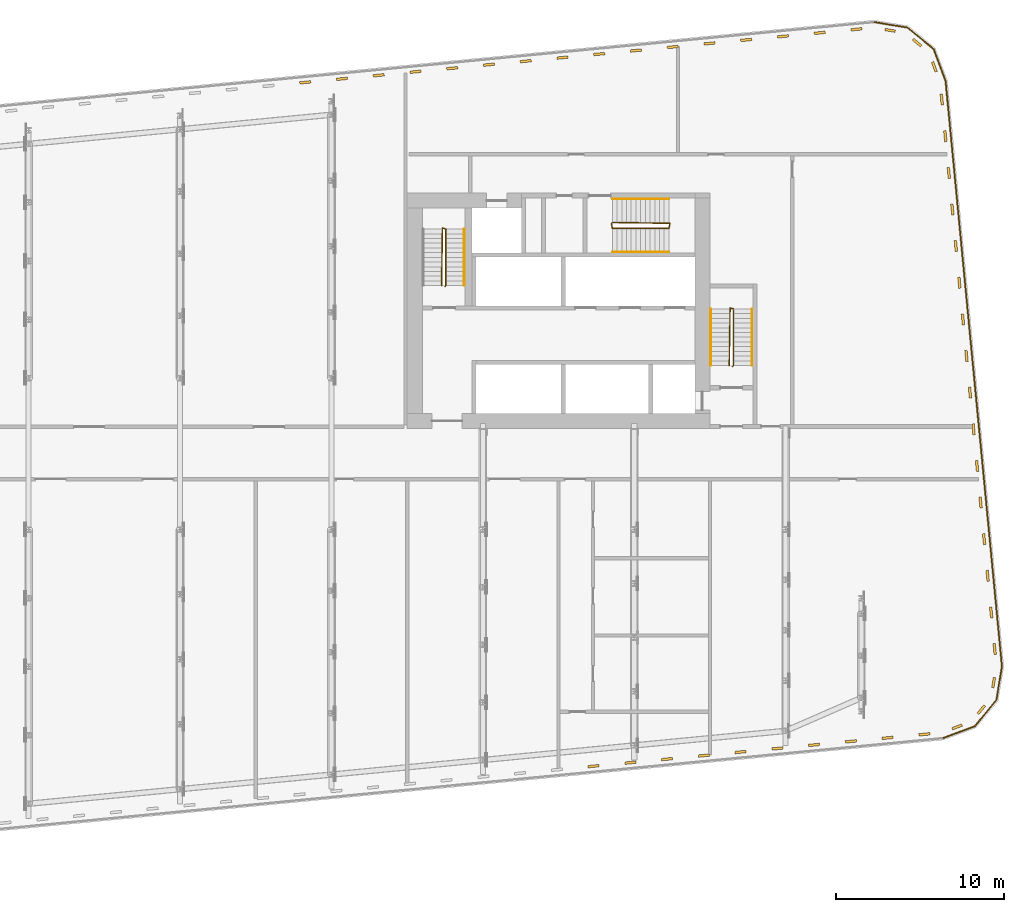
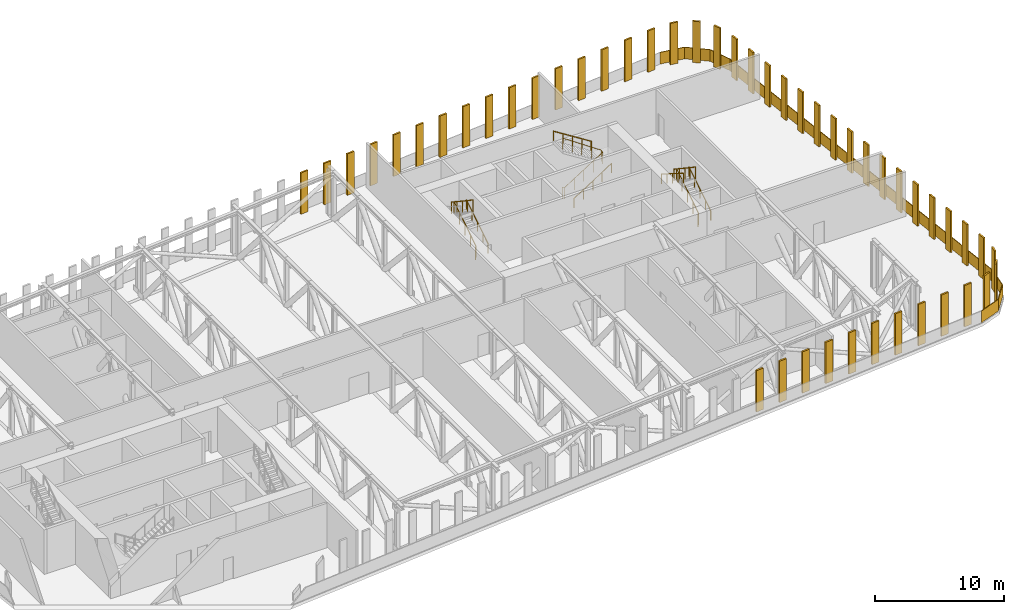
# One storey, part 22 of 22: 48 shading devices, 15 railings.
"""IFC4 building model written with IfcOpenShell, lengths in metres."""

from ifc_helpers import new_model, si_unit, direction, frame, origin, origin_2d, place, context, subcontext, project, spatial, polyline, rectangle, circle, outline, extrude, material, type_object, element, save


model = new_model("IFC4")

# Units and contexts
model_context = context("Model", 3, precision=1e-05, world=origin(), true_north=direction((0.0, 1.0)))
body_context = subcontext(model_context, "Body", "Model", "MODEL_VIEW")
ifc_project = project(units=[si_unit("LENGTHUNIT", "METRE"), si_unit("AREAUNIT", "SQUARE_METRE"), si_unit("VOLUMEUNIT", "CUBIC_METRE"), si_unit("PLANEANGLEUNIT", "RADIAN"), si_unit("MASSUNIT", "GRAM", prefix="KILO")], contexts=[model_context])

# Site, building, storey
site_placement = place(None, origin())
site = spatial("IfcSite", under=ifc_project, at=site_placement, CompositionType="ELEMENT")
building_placement = place(site_placement, origin())
building = spatial("IfcBuilding", under=site, at=building_placement, Name="Kajstack Hotel Tower", CompositionType="ELEMENT")
storey_placement = place(building_placement, frame((0.0, 0.0, 150.39990234375)))
storey = spatial("IfcBuildingStorey", under=building, at=storey_placement, Name="L35", CompositionType="ELEMENT", Elevation=150.39990234375)

# Railings
ifc_material = material(Name="Steel S355J2", Category="steel")
railing_type_1 = type_object("IfcRailingType", Name="GUARD-FACADE", PredefinedType="GUARDRAIL", material=ifc_material)
railing_1_placement = place(storey_placement, frame((45.3515625, -16.897216796875, 0.0)))
element("IfcRailing", 1, at=railing_1_placement, inside=storey, type_object=railing_type_1, Name="Guard L35 slab edge 05", PredefinedType="GUARDRAIL", context=body_context, shape_type="SweptSolid", body=[
    extrude(outline(polyline([(1.884033203125, 0.736328125), (1.905029296875, 0.68017578125), (0.010498046875, -0.028076171875), (-0.010498046875, 0.028076171875), (1.884033203125, 0.736328125)])), origin(), (0.0, 0.0, 1.0), 1.10009765625),
])
railing_2_placement = place(storey_placement, frame((47.24609375, -16.18896484375, 0.0)))
element("IfcRailing", 2, at=railing_2_placement, inside=storey, type_object=railing_type_1, Name="Guard L35 slab edge 06", PredefinedType="GUARDRAIL", context=body_context, shape_type="SweptSolid", body=[
    extrude(outline(polyline([(1.2529296875, 1.567138671875), (1.29931640625, 1.529052734375), (0.023193359375, -0.01904296875), (-0.023193359375, 0.01904296875), (1.2529296875, 1.567138671875)])), origin(), (0.0, 0.0, 1.0), 1.10009765625),
])
railing_3_placement = place(storey_placement, frame((48.522216796875, -14.640869140625, 0.0)))
element("IfcRailing", 3, at=railing_3_placement, inside=storey, type_object=railing_type_1, Name="Guard L35 slab edge 07", PredefinedType="GUARDRAIL", context=body_context, shape_type="SweptSolid", body=[
    extrude(outline(polyline([(0.30419921875, 1.999755859375), (0.36328125, 1.989990234375), (0.029541015625, -0.0048828125), (-0.029541015625, 0.0048828125), (0.30419921875, 1.999755859375)])), origin(), (0.0, 0.0, 1.0), 1.10009765625),
])
railing_4_placement = place(storey_placement, frame((48.85595703125, -12.64599609375, 0.0)))
element("IfcRailing", 4, at=railing_4_placement, inside=storey, type_object=railing_type_1, Name="Guard L35 slab edge 08", PredefinedType="GUARDRAIL", context=body_context, shape_type="SweptSolid", body=[
    extrude(outline(polyline([(-3.38134765625, 34.8046875), (-3.32177734375, 34.810546875), (0.02978515625, 0.0029296875), (-0.02978515625, -0.0029296875), (-3.38134765625, 34.8046875)])), origin(), (0.0, 0.0, 1.0), 1.10009765625),
])
railing_5_placement = place(storey_placement, frame((45.50439453125, 22.16162109375, 0.0)))
element("IfcRailing", 5, at=railing_5_placement, inside=storey, type_object=railing_type_1, Name="Guard L35 slab edge 09", PredefinedType="GUARDRAIL", context=body_context, shape_type="SweptSolid", body=[
    extrude(outline(polyline([(-0.736328125, 1.884033203125), (-0.68017578125, 1.905029296875), (0.028076171875, 0.010498046875), (-0.028076171875, -0.010498046875), (-0.736328125, 1.884033203125)])), origin(), (0.0, 0.0, 1.0), 1.10009765625),
])
railing_6_placement = place(storey_placement, frame((44.796142578125, 24.05615234375, 0.0)))
element("IfcRailing", 6, at=railing_6_placement, inside=storey, type_object=railing_type_1, Name="Guard L35 slab edge 10", PredefinedType="GUARDRAIL", context=body_context, shape_type="SweptSolid", body=[
    extrude(outline(polyline([(-1.567138671875, 1.2529296875), (-1.529052734375, 1.29931640625), (0.01904296875, 0.023193359375), (-0.01904296875, -0.023193359375), (-1.567138671875, 1.2529296875)])), origin(), (0.0, 0.0, 1.0), 1.10009765625),
])
railing_7_placement = place(storey_placement, frame((43.248046875, 25.332275390625, 0.0)))
element("IfcRailing", 7, at=railing_7_placement, inside=storey, type_object=railing_type_1, Name="Guard L35 slab edge 11", PredefinedType="GUARDRAIL", context=body_context, shape_type="SweptSolid", body=[
    extrude(outline(polyline([(-1.99951171875, 0.30419921875), (-1.98974609375, 0.36328125), (0.0048828125, 0.029541015625), (-0.0048828125, -0.029541015625), (-1.99951171875, 0.30419921875)])), origin(), (0.0, 0.0, 1.0), 1.10009765625),
])
railing_type_2 = type_object("IfcRailingType", Name="Stair guard 1100", PredefinedType="GUARDRAIL", material=ifc_material)
railing_8_placement = place(storey_placement, frame((32.85009765625, 5.199951171875, 0.0)))
element("IfcRailing", 8, at=railing_8_placement, inside=storey, type_object=railing_type_2, Name="L35 E1 stair guard 1", PredefinedType="GUARDRAIL", context=body_context, shape_type="SweptSolid", body=[
    extrude(circle(Radius=0.02392578125, at=origin_2d()), frame((0.0, 0.0, 1.076171875), z_axis=(0.261352522353, 0.262633662168, 0.928826366204), x_axis=(-0.708833529934, 0.705375805398, 0.0)), (0.0, 0.0, 1.0), 0.190673828125),
    extrude(circle(Radius=0.02392578125, at=origin_2d()), frame((0.0498046875, 0.050048828125, 1.2529296875), z_axis=(0.0, 0.845389635667, 0.534150132366), x_axis=(-1.0, 0.0, 0.0)), (0.0, 0.0, 1.0), 3.974609375),
    extrude(circle(Radius=0.02392578125, at=origin_2d()), frame((0.0498046875, 3.41015625, 3.3759765625), z_axis=(-0.970351222016, 0.241699205484, 0.0), x_axis=(-0.241699205484, -0.970351222016, 0.0)), (0.0, 0.0, 1.0), 0.2060546875),
    extrude(circle(Radius=0.02392578125, at=origin_2d()), frame((-0.150146484375, 3.4599609375, 3.3759765625), z_axis=(-0.012167203753, -0.828972364935, 0.559157202696), x_axis=(0.999892303572, -0.014675873289, 0.0)), (0.0, 0.0, 1.0), 4.113525390625),
    extrude(circle(Radius=0.02099609375, at=origin_2d()), origin(), (0.0, 0.0, 1.0), 1.052001953125),
    extrude(circle(Radius=0.02099609375, at=origin_2d()), frame((0.0498046875, 0.050048828125, 0.177001953125)), (0.0, 0.0, 1.0), 1.052001953125),
    extrude(circle(Radius=0.02099609375, at=origin_2d()), frame((0.0498046875, 0.89013671875, 0.707763671875)), (0.0, 0.0, 1.0), 1.052001953125),
    extrude(circle(Radius=0.02099609375, at=origin_2d()), frame((0.0498046875, 1.72998046875, 1.238525390625)), (0.0, 0.0, 1.0), 1.052001953125),
    extrude(circle(Radius=0.02099609375, at=origin_2d()), frame((0.0498046875, 2.570068359375, 1.769287109375)), (0.0, 0.0, 1.0), 1.052001953125),
    extrude(circle(Radius=0.02099609375, at=origin_2d()), frame((0.0498046875, 3.41015625, 2.300048828125)), (0.0, 0.0, 1.0), 1.052001953125),
    extrude(circle(Radius=0.02099609375, at=origin_2d()), frame((-0.150146484375, 3.4599609375, 2.300048828125)), (0.0, 0.0, 1.0), 1.052001953125),
    extrude(circle(Radius=0.02099609375, at=origin_2d()), frame((-0.16259765625, 2.607421875, 2.875)), (0.0, 0.0, 1.0), 1.052001953125),
    extrude(circle(Radius=0.02099609375, at=origin_2d()), frame((-0.17529296875, 1.7548828125, 3.4501953125)), (0.0, 0.0, 1.0), 1.052001953125),
    extrude(circle(Radius=0.02099609375, at=origin_2d()), frame((-0.187744140625, 0.902587890625, 4.025146484375)), (0.0, 0.0, 1.0), 1.052001953125),
    extrude(circle(Radius=0.02099609375, at=origin_2d()), frame((-0.2001953125, 0.050048828125, 4.60009765625)), (0.0, 0.0, 1.0), 1.052001953125),
])
railing_9_placement = place(storey_placement, frame((15.75, 9.949951171875, 0.0)))
element("IfcRailing", 9, at=railing_9_placement, inside=storey, type_object=railing_type_2, Name="L35 E2 stair guard 1", PredefinedType="GUARDRAIL", context=body_context, shape_type="SweptSolid", body=[
    extrude(circle(Radius=0.02392578125, at=origin_2d()), frame((0.0, 0.0, 1.076171875), z_axis=(0.262545553595, 0.262545553595, 0.928514762713), x_axis=(-0.707106781187, 0.707106781187, 0.0)), (0.0, 0.0, 1.0), 0.190673828125),
    extrude(circle(Radius=0.02392578125, at=origin_2d()), frame((0.050048828125, 0.050048828125, 1.2529296875), z_axis=(0.0, 0.845389635667, 0.534150132366), x_axis=(-1.0, 0.0, 0.0)), (0.0, 0.0, 1.0), 3.974609375),
    extrude(circle(Radius=0.02392578125, at=origin_2d()), frame((0.050048828125, 3.41015625, 3.3759765625), z_axis=(-0.970351222016, 0.241699205484, 0.0), x_axis=(-0.241699205484, -0.970351222016, 0.0)), (0.0, 0.0, 1.0), 0.2060546875),
    extrude(circle(Radius=0.02392578125, at=origin_2d()), frame((-0.14990234375, 3.4599609375, 3.3759765625), z_axis=(-0.012167203753, -0.828972364935, 0.559157202696), x_axis=(0.999892303572, -0.014675873289, 0.0)), (0.0, 0.0, 1.0), 4.113525390625),
    extrude(circle(Radius=0.02099609375, at=origin_2d()), origin(), (0.0, 0.0, 1.0), 1.052001953125),
    extrude(circle(Radius=0.02099609375, at=origin_2d()), frame((0.050048828125, 0.050048828125, 0.177001953125)), (0.0, 0.0, 1.0), 1.052001953125),
    extrude(circle(Radius=0.02099609375, at=origin_2d()), frame((0.050048828125, 0.89013671875, 0.707763671875)), (0.0, 0.0, 1.0), 1.052001953125),
    extrude(circle(Radius=0.02099609375, at=origin_2d()), frame((0.050048828125, 1.72998046875, 1.238525390625)), (0.0, 0.0, 1.0), 1.052001953125),
    extrude(circle(Radius=0.02099609375, at=origin_2d()), frame((0.050048828125, 2.570068359375, 1.769287109375)), (0.0, 0.0, 1.0), 1.052001953125),
    extrude(circle(Radius=0.02099609375, at=origin_2d()), frame((0.050048828125, 3.41015625, 2.300048828125)), (0.0, 0.0, 1.0), 1.052001953125),
    extrude(circle(Radius=0.02099609375, at=origin_2d()), frame((-0.14990234375, 3.4599609375, 2.300048828125)), (0.0, 0.0, 1.0), 1.052001953125),
    extrude(circle(Radius=0.02099609375, at=origin_2d()), frame((-0.162353515625, 2.607421875, 2.875)), (0.0, 0.0, 1.0), 1.052001953125),
    extrude(circle(Radius=0.02099609375, at=origin_2d()), frame((-0.1748046875, 1.7548828125, 3.4501953125)), (0.0, 0.0, 1.0), 1.052001953125),
    extrude(circle(Radius=0.02099609375, at=origin_2d()), frame((-0.1875, 0.902587890625, 4.025146484375)), (0.0, 0.0, 1.0), 1.052001953125),
    extrude(circle(Radius=0.02099609375, at=origin_2d()), frame((-0.199951171875, 0.050048828125, 4.60009765625)), (0.0, 0.0, 1.0), 1.052001953125),
])
railing_10_placement = place(storey_placement, frame((25.64990234375, 13.699951171875, 0.0)))
element("IfcRailing", 10, at=railing_10_placement, inside=storey, type_object=railing_type_2, Name="L35 E3 stair guard 1", PredefinedType="GUARDRAIL", context=body_context, shape_type="SweptSolid", body=[
    extrude(circle(Radius=0.02392578125, at=origin_2d()), frame((0.0, 0.0, 1.076171875), z_axis=(0.142207198326, -0.852549496304, 0.502927896518), x_axis=(0.986372223864, 0.164529134168, 0.0)), (0.0, 0.0, 1.0), 0.35205078125),
    extrude(circle(Radius=0.02392578125, at=origin_2d()), frame((0.050048828125, -0.300048828125, 1.2529296875), z_axis=(0.845389635667, 0.0, 0.534150132366), x_axis=(0.0, 1.0, 0.0)), (0.0, 0.0, 1.0), 3.974609375),
    extrude(circle(Radius=0.02392578125, at=origin_2d()), frame((3.41015625, -0.300048828125, 3.3759765625), z_axis=(0.164529134168, 0.986372223864, 0.0), x_axis=(-0.986372223864, 0.164529134168, 0.0)), (0.0, 0.0, 1.0), 0.30419921875),
    extrude(circle(Radius=0.02392578125, at=origin_2d()), frame((3.460205078125, 0.0, 3.3759765625), z_axis=(-0.828990929223, 0.012166605133, 0.559129692455), x_axis=(-0.014674822837, -0.99989231899, 0.0)), (0.0, 0.0, 1.0), 4.113525390625),
    extrude(circle(Radius=0.02099609375, at=origin_2d()), origin(), (0.0, 0.0, 1.0), 1.052001953125),
    extrude(circle(Radius=0.02099609375, at=origin_2d()), frame((0.050048828125, -0.300048828125, 0.177001953125)), (0.0, 0.0, 1.0), 1.052001953125),
    extrude(circle(Radius=0.02099609375, at=origin_2d()), frame((0.89013671875, -0.300048828125, 0.707763671875)), (0.0, 0.0, 1.0), 1.052001953125),
    extrude(circle(Radius=0.02099609375, at=origin_2d()), frame((1.72998046875, -0.300048828125, 1.238525390625)), (0.0, 0.0, 1.0), 1.052001953125),
    extrude(circle(Radius=0.02099609375, at=origin_2d()), frame((2.570068359375, -0.300048828125, 1.769287109375)), (0.0, 0.0, 1.0), 1.052001953125),
    extrude(circle(Radius=0.02099609375, at=origin_2d()), frame((3.41015625, -0.300048828125, 2.300048828125)), (0.0, 0.0, 1.0), 1.052001953125),
    extrude(circle(Radius=0.02099609375, at=origin_2d()), frame((3.460205078125, 0.0, 2.300048828125)), (0.0, 0.0, 1.0), 1.052001953125),
    extrude(circle(Radius=0.02099609375, at=origin_2d()), frame((2.607666015625, 0.012451171875, 2.875)), (0.0, 0.0, 1.0), 1.052001953125),
    extrude(circle(Radius=0.02099609375, at=origin_2d()), frame((1.755126953125, 0.02490234375, 3.4501953125)), (0.0, 0.0, 1.0), 1.052001953125),
    extrude(circle(Radius=0.02099609375, at=origin_2d()), frame((0.902587890625, 0.03759765625, 4.025146484375)), (0.0, 0.0, 1.0), 1.052001953125),
    extrude(circle(Radius=0.02099609375, at=origin_2d()), frame((0.050048828125, 0.050048828125, 4.60009765625)), (0.0, 0.0, 1.0), 1.052001953125),
])
railing_type_3 = type_object("IfcRailingType", Name="Stair handrail 900", PredefinedType="HANDRAIL", material=ifc_material)
railing_11_placement = place(storey_placement, frame((34.0, 5.25, 0.177001953125)))
element("IfcRailing", 11, at=railing_11_placement, inside=storey, type_object=railing_type_3, Name="L35 E1 stair handrail 1", PredefinedType="HANDRAIL", context=body_context, shape_type="SweptSolid", body=[
    extrude(circle(Radius=0.02392578125, at=origin_2d()), frame((0.0, 0.0, 0.8759765625), z_axis=(0.0, 0.845389635667, 0.534150132366), x_axis=(-1.0, 0.0, 0.0)), (0.0, 0.0, 1.0), 3.974609375),
    extrude(circle(Radius=0.02099609375, at=origin_2d()), origin(), (0.0, 0.0, 1.0), 0.851806640625),
    extrude(circle(Radius=0.02099609375, at=origin_2d()), frame((0.0, 0.840087890625, 0.53076171875)), (0.0, 0.0, 1.0), 0.851806640625),
    extrude(circle(Radius=0.02099609375, at=origin_2d()), frame((0.0, 1.68017578125, 1.0615234375)), (0.0, 0.0, 1.0), 0.851806640625),
    extrude(circle(Radius=0.02099609375, at=origin_2d()), frame((0.0, 2.52001953125, 1.59228515625)), (0.0, 0.0, 1.0), 0.851806640625),
    extrude(circle(Radius=0.02099609375, at=origin_2d()), frame((0.0, 3.360107421875, 2.123046875)), (0.0, 0.0, 1.0), 0.851806640625),
])
railing_12_placement = place(storey_placement, frame((31.550048828125, 8.610107421875, 2.47705078125)))
element("IfcRailing", 12, at=railing_12_placement, inside=storey, type_object=railing_type_3, Name="L35 E1 stair handrail 2", PredefinedType="HANDRAIL", context=body_context, shape_type="SweptSolid", body=[
    extrude(circle(Radius=0.02392578125, at=origin_2d()), frame((0.0, 0.0, 0.8759765625), z_axis=(0.0, -0.845389635667, 0.534150132366), x_axis=(1.0, 0.0, 0.0)), (0.0, 0.0, 1.0), 3.974609375),
    extrude(circle(Radius=0.02099609375, at=origin_2d()), origin(), (0.0, 0.0, 1.0), 0.851806640625),
    extrude(circle(Radius=0.02099609375, at=origin_2d()), frame((0.0, -0.840087890625, 0.53076171875)), (0.0, 0.0, 1.0), 0.851806640625),
    extrude(circle(Radius=0.02099609375, at=origin_2d()), frame((0.0, -1.68017578125, 1.0615234375)), (0.0, 0.0, 1.0), 0.851806640625),
    extrude(circle(Radius=0.02099609375, at=origin_2d()), frame((0.0, -2.52001953125, 1.59228515625)), (0.0, 0.0, 1.0), 0.851806640625),
    extrude(circle(Radius=0.02099609375, at=origin_2d()), frame((0.0, -3.360107421875, 2.123046875)), (0.0, 0.0, 1.0), 0.851806640625),
])
railing_13_placement = place(storey_placement, frame((16.89990234375, 10.0, 0.177001953125)))
element("IfcRailing", 13, at=railing_13_placement, inside=storey, type_object=railing_type_3, Name="L35 E2 stair handrail 1", PredefinedType="HANDRAIL", context=body_context, shape_type="SweptSolid", body=[
    extrude(circle(Radius=0.02392578125, at=origin_2d()), frame((0.0, 0.0, 0.8759765625), z_axis=(0.0, 0.845389635667, 0.534150132366), x_axis=(-1.0, 0.0, 0.0)), (0.0, 0.0, 1.0), 3.974609375),
    extrude(circle(Radius=0.02099609375, at=origin_2d()), origin(), (0.0, 0.0, 1.0), 0.851806640625),
    extrude(circle(Radius=0.02099609375, at=origin_2d()), frame((0.0, 0.840087890625, 0.53076171875)), (0.0, 0.0, 1.0), 0.851806640625),
    extrude(circle(Radius=0.02099609375, at=origin_2d()), frame((0.0, 1.68017578125, 1.0615234375)), (0.0, 0.0, 1.0), 0.851806640625),
    extrude(circle(Radius=0.02099609375, at=origin_2d()), frame((0.0, 2.52001953125, 1.59228515625)), (0.0, 0.0, 1.0), 0.851806640625),
    extrude(circle(Radius=0.02099609375, at=origin_2d()), frame((0.0, 3.360107421875, 2.123046875)), (0.0, 0.0, 1.0), 0.851806640625),
])
railing_14_placement = place(storey_placement, frame((25.699951171875, 12.0, 0.177001953125)))
element("IfcRailing", 14, at=railing_14_placement, inside=storey, type_object=railing_type_3, Name="L35 E3 stair handrail 1", PredefinedType="HANDRAIL", context=body_context, shape_type="SweptSolid", body=[
    extrude(circle(Radius=0.02392578125, at=origin_2d()), frame((0.0, 0.0, 0.8759765625), z_axis=(0.845389635667, 0.0, 0.534150132366), x_axis=(0.0, 1.0, 0.0)), (0.0, 0.0, 1.0), 3.974609375),
    extrude(circle(Radius=0.02099609375, at=origin_2d()), origin(), (0.0, 0.0, 1.0), 0.851806640625),
    extrude(circle(Radius=0.02099609375, at=origin_2d()), frame((0.840087890625, 0.0, 0.53076171875)), (0.0, 0.0, 1.0), 0.851806640625),
    extrude(circle(Radius=0.02099609375, at=origin_2d()), frame((1.68017578125, 0.0, 1.0615234375)), (0.0, 0.0, 1.0), 0.851806640625),
    extrude(circle(Radius=0.02099609375, at=origin_2d()), frame((2.52001953125, 0.0, 1.59228515625)), (0.0, 0.0, 1.0), 0.851806640625),
    extrude(circle(Radius=0.02099609375, at=origin_2d()), frame((3.360107421875, 0.0, 2.123046875)), (0.0, 0.0, 1.0), 0.851806640625),
])
railing_15_placement = place(storey_placement, frame((29.06005859375, 15.14990234375, 2.47705078125)))
element("IfcRailing", 15, at=railing_15_placement, inside=storey, type_object=railing_type_3, Name="L35 E3 stair handrail 2", PredefinedType="HANDRAIL", context=body_context, shape_type="SweptSolid", body=[
    extrude(circle(Radius=0.02392578125, at=origin_2d()), frame((0.0, 0.0, 0.8759765625), z_axis=(-0.845389635667, 0.0, 0.534150132366), x_axis=(0.0, -1.0, 0.0)), (0.0, 0.0, 1.0), 3.974609375),
    extrude(circle(Radius=0.02099609375, at=origin_2d()), origin(), (0.0, 0.0, 1.0), 0.851806640625),
    extrude(circle(Radius=0.02099609375, at=origin_2d()), frame((-0.840087890625, 0.0, 0.53076171875)), (0.0, 0.0, 1.0), 0.851806640625),
    extrude(circle(Radius=0.02099609375, at=origin_2d()), frame((-1.68017578125, 0.0, 1.0615234375)), (0.0, 0.0, 1.0), 0.851806640625),
    extrude(circle(Radius=0.02099609375, at=origin_2d()), frame((-2.52001953125, 0.0, 1.59228515625)), (0.0, 0.0, 1.0), 0.851806640625),
    extrude(circle(Radius=0.02099609375, at=origin_2d()), frame((-3.360107421875, 0.0, 2.123046875)), (0.0, 0.0, 1.0), 0.851806640625),
])

# Shading devices
for number, where, z_axis, x_axis, name in (
    (16, (24.58447265625, -18.565185546875, 0.000244140625), (0.0, 0.0, 1.0), (0.995396215095, 0.095845578791, 0.0), "Screen L35-04-27"),
    (17, (26.768798828125, -18.35498046875, 0.000244140625), (0.0, 0.0, 1.0), (0.995396215095, 0.095845578791, 0.0), "Screen L35-04-28"),
    (18, (28.953125, -18.14453125, 0.000244140625), (0.0, 0.0, 1.0), (0.995396215095, 0.095845578791, 0.0), "Screen L35-04-29"),
    (19, (31.137451171875, -17.934326171875, 0.000244140625), (0.0, 0.0, 1.0), (0.995396215095, 0.095845578791, 0.0), "Screen L35-04-30"),
    (20, (33.32177734375, -17.723876953125, 0.000244140625), (0.0, 0.0, 1.0), (0.995396215095, 0.095845578791, 0.0), "Screen L35-04-31"),
    (21, (35.506103515625, -17.513671875, 0.000244140625), (0.0, 0.0, 1.0), (0.995396215095, 0.095845578791, 0.0), "Screen L35-04-32"),
    (22, (37.6904296875, -17.30322265625, 0.000244140625), (0.0, 0.0, 1.0), (0.995396215095, 0.095845578791, 0.0), "Screen L35-04-33"),
    (23, (39.874755859375, -17.093017578125, 0.000244140625), (0.0, 0.0, 1.0), (0.995396215095, 0.095845578791, 0.0), "Screen L35-04-34"),
    (24, (42.05908203125, -16.882568359375, 0.000244140625), (0.0, 0.0, 1.0), (0.995396215095, 0.095845578791, 0.0), "Screen L35-04-35"),
    (25, (44.243408203125, -16.67236328125, 0.000244140625), (0.0, 0.0, 1.0), (0.995396215095, 0.095845578791, 0.0), "Screen L35-04-36"),
):
    element("IfcShadingDevice", number, at=place(storey_placement, frame(where, z_axis=z_axis, x_axis=x_axis)), inside=storey, Name=name, ObjectType="SCREEN", PredefinedType="USERDEFINED", context=body_context, shape_type="SweptSolid", body=[
        extrude(rectangle(XDim=0.658447265625, YDim=0.14990234375, at=origin_2d()), origin(), (0.0, 0.0, 1.0), 3.89990234375),
    ])
for number, where, z_axis, x_axis, name in (
    (26, (46.19091796875, -16.23095703125, 0.000244140625), (0.0, 0.0, 1.0), (0.936680006611, 0.350186472063, 0.0), "Screen L35-05-01"),
    (27, (47.629638671875, -15.204833984375, 0.000244140625), (0.0, 0.0, 1.0), (0.636066072614, 0.771634596989, 0.0), "Screen L35-06-01"),
    (28, (48.3623046875, -13.596923828125, 0.000244140625), (0.0, 0.0, 1.0), (0.165025485918, 0.986289302891, 0.0), "Screen L35-07-01"),
):
    element("IfcShadingDevice", number, at=place(storey_placement, frame(where, z_axis=z_axis, x_axis=x_axis)), inside=storey, Name=name, ObjectType="SCREEN", PredefinedType="USERDEFINED", context=body_context, shape_type="SweptSolid", body=[
        extrude(rectangle(XDim=0.62109375, YDim=0.14990234375, at=origin_2d()), origin(), (0.0, 0.0, 1.0), 3.89990234375),
    ])
for number, where, z_axis, x_axis, name in (
    (29, (48.42431640625, -11.6044921875, 0.000244140625), (0.0, 0.0, 1.0), (-0.095845891504, 0.995396184985, 0.0), "Screen L35-08-01"),
    (30, (48.214599609375, -9.427001953125, 0.000244140625), (0.0, 0.0, 1.0), (-0.095845891504, 0.995396184985, 0.0), "Screen L35-08-02"),
    (31, (48.0048828125, -7.249755859375, 0.000244140625), (0.0, 0.0, 1.0), (-0.095845891504, 0.995396184985, 0.0), "Screen L35-08-03"),
    (32, (47.795166015625, -5.072265625, 0.000244140625), (0.0, 0.0, 1.0), (-0.095845891504, 0.995396184985, 0.0), "Screen L35-08-04"),
    (33, (47.585693359375, -2.894775390625, 0.000244140625), (0.0, 0.0, 1.0), (-0.095845891504, 0.995396184985, 0.0), "Screen L35-08-05"),
    (34, (47.3759765625, -0.71728515625, 0.000244140625), (0.0, 0.0, 1.0), (-0.095845891504, 0.995396184985, 0.0), "Screen L35-08-06"),
    (35, (47.166259765625, 1.4599609375, 0.000244140625), (0.0, 0.0, 1.0), (-0.095845891504, 0.995396184985, 0.0), "Screen L35-08-07"),
    (36, (46.95654296875, 3.637451171875, 0.000244140625), (0.0, 0.0, 1.0), (-0.095845891504, 0.995396184985, 0.0), "Screen L35-08-08"),
    (37, (46.746826171875, 5.81494140625, 0.000244140625), (0.0, 0.0, 1.0), (-0.095845891504, 0.995396184985, 0.0), "Screen L35-08-09"),
    (38, (46.537353515625, 7.9921875, 0.000244140625), (0.0, 0.0, 1.0), (-0.095845891504, 0.995396184985, 0.0), "Screen L35-08-10"),
    (39, (46.32763671875, 10.169677734375, 0.000244140625), (0.0, 0.0, 1.0), (-0.095845891504, 0.995396184985, 0.0), "Screen L35-08-11"),
    (40, (46.117919921875, 12.34716796875, 0.000244140625), (0.0, 0.0, 1.0), (-0.095845891504, 0.995396184985, 0.0), "Screen L35-08-12"),
    (41, (45.908203125, 14.524658203125, 0.000244140625), (0.0, 0.0, 1.0), (-0.095845891504, 0.995396184985, 0.0), "Screen L35-08-13"),
    (42, (45.69873046875, 16.701904296875, 0.000244140625), (0.0, 0.0, 1.0), (-0.095845891504, 0.995396184985, 0.0), "Screen L35-08-14"),
    (43, (45.489013671875, 18.87939453125, 0.000244140625), (0.0, 0.0, 1.0), (-0.095845891504, 0.995396184985, 0.0), "Screen L35-08-15"),
    (44, (45.279296875, 21.056884765625, 0.000244140625), (0.0, 0.0, 1.0), (-0.095845891504, 0.995396184985, 0.0), "Screen L35-08-16"),
):
    element("IfcShadingDevice", number, at=place(storey_placement, frame(where, z_axis=z_axis, x_axis=x_axis)), inside=storey, Name=name, ObjectType="SCREEN", PredefinedType="USERDEFINED", context=body_context, shape_type="SweptSolid", body=[
        extrude(rectangle(XDim=0.65625, YDim=0.14990234375, at=origin_2d()), origin(), (0.0, 0.0, 1.0), 3.89990234375),
    ])
for number, where, z_axis, x_axis, name in (
    (45, (44.83837890625, 23.0009765625, 0.000244140625), (0.0, 0.0, 1.0), (-0.350186472063, 0.936680006611, 0.0), "Screen L35-09-01"),
    (46, (43.812255859375, 24.439453125, 0.000244140625), (0.0, 0.0, 1.0), (-0.771634596989, 0.636066072614, 0.0), "Screen L35-10-01"),
    (47, (42.204345703125, 25.172119140625, 0.000244140625), (0.0, 0.0, 1.0), (-0.986287986591, 0.165033352708, 0.0), "Screen L35-11-01"),
):
    element("IfcShadingDevice", number, at=place(storey_placement, frame(where, z_axis=z_axis, x_axis=x_axis)), inside=storey, Name=name, ObjectType="SCREEN", PredefinedType="USERDEFINED", context=body_context, shape_type="SweptSolid", body=[
        extrude(rectangle(XDim=0.62109375, YDim=0.14990234375, at=origin_2d()), origin(), (0.0, 0.0, 1.0), 3.89990234375),
    ])
for number, where, z_axis, x_axis, name in (
    (48, (40.20849609375, 25.23388671875, 0.000244140625), (0.0, 0.0, 1.0), (-0.995396215095, -0.095845578791, 0.0), "Screen L35-12-01"),
    (49, (38.024169921875, 25.0234375, 0.000244140625), (0.0, 0.0, 1.0), (-0.995396215095, -0.095845578791, 0.0), "Screen L35-12-02"),
    (50, (35.83984375, 24.813232421875, 0.000244140625), (0.0, 0.0, 1.0), (-0.995396215095, -0.095845578791, 0.0), "Screen L35-12-03"),
    (51, (33.655517578125, 24.602783203125, 0.000244140625), (0.0, 0.0, 1.0), (-0.995396215095, -0.095845578791, 0.0), "Screen L35-12-04"),
    (52, (31.47119140625, 24.392578125, 0.000244140625), (0.0, 0.0, 1.0), (-0.995396215095, -0.095845578791, 0.0), "Screen L35-12-05"),
    (53, (29.286865234375, 24.18212890625, 0.000244140625), (0.0, 0.0, 1.0), (-0.995396215095, -0.095845578791, 0.0), "Screen L35-12-06"),
    (54, (27.102294921875, 23.971923828125, 0.000244140625), (0.0, 0.0, 1.0), (-0.995396215095, -0.095845578791, 0.0), "Screen L35-12-07"),
    (55, (24.91796875, 23.761474609375, 0.000244140625), (0.0, 0.0, 1.0), (-0.995396215095, -0.095845578791, 0.0), "Screen L35-12-08"),
    (56, (22.733642578125, 23.55126953125, 0.000244140625), (0.0, 0.0, 1.0), (-0.995396215095, -0.095845578791, 0.0), "Screen L35-12-09"),
    (57, (20.54931640625, 23.3408203125, 0.000244140625), (0.0, 0.0, 1.0), (-0.995396215095, -0.095845578791, 0.0), "Screen L35-12-10"),
    (58, (18.364990234375, 23.130615234375, 0.000244140625), (0.0, 0.0, 1.0), (-0.995396215095, -0.095845578791, 0.0), "Screen L35-12-11"),
    (59, (16.1806640625, 22.920166015625, 0.000244140625), (0.0, 0.0, 1.0), (-0.995396215095, -0.095845578791, 0.0), "Screen L35-12-12"),
    (60, (13.996337890625, 22.7099609375, 0.000244140625), (0.0, 0.0, 1.0), (-0.995396215095, -0.095845578791, 0.0), "Screen L35-12-13"),
    (61, (11.81201171875, 22.49951171875, 0.000244140625), (0.0, 0.0, 1.0), (-0.995396215095, -0.095845578791, 0.0), "Screen L35-12-14"),
    (62, (9.627685546875, 22.289306640625, 0.000244140625), (0.0, 0.0, 1.0), (-0.995396215095, -0.095845578791, 0.0), "Screen L35-12-15"),
    (63, (7.443359375, 22.078857421875, 0.000244140625), (0.0, 0.0, 1.0), (-0.995396215095, -0.095845578791, 0.0), "Screen L35-12-16"),
):
    element("IfcShadingDevice", number, at=place(storey_placement, frame(where, z_axis=z_axis, x_axis=x_axis)), inside=storey, Name=name, ObjectType="SCREEN", PredefinedType="USERDEFINED", context=body_context, shape_type="SweptSolid", body=[
        extrude(rectangle(XDim=0.658447265625, YDim=0.14990234375, at=origin_2d()), origin(), (0.0, 0.0, 1.0), 3.89990234375),
    ])

save(model, "model.ifc")
